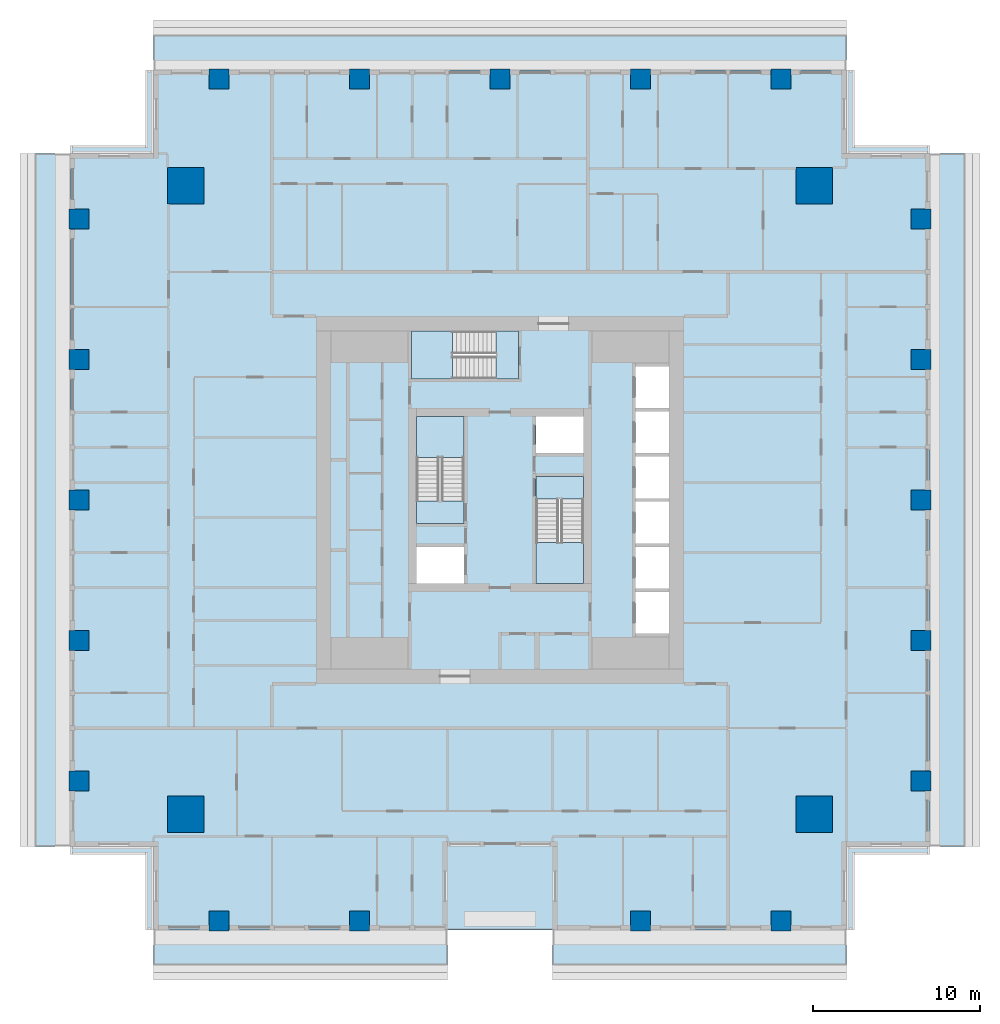
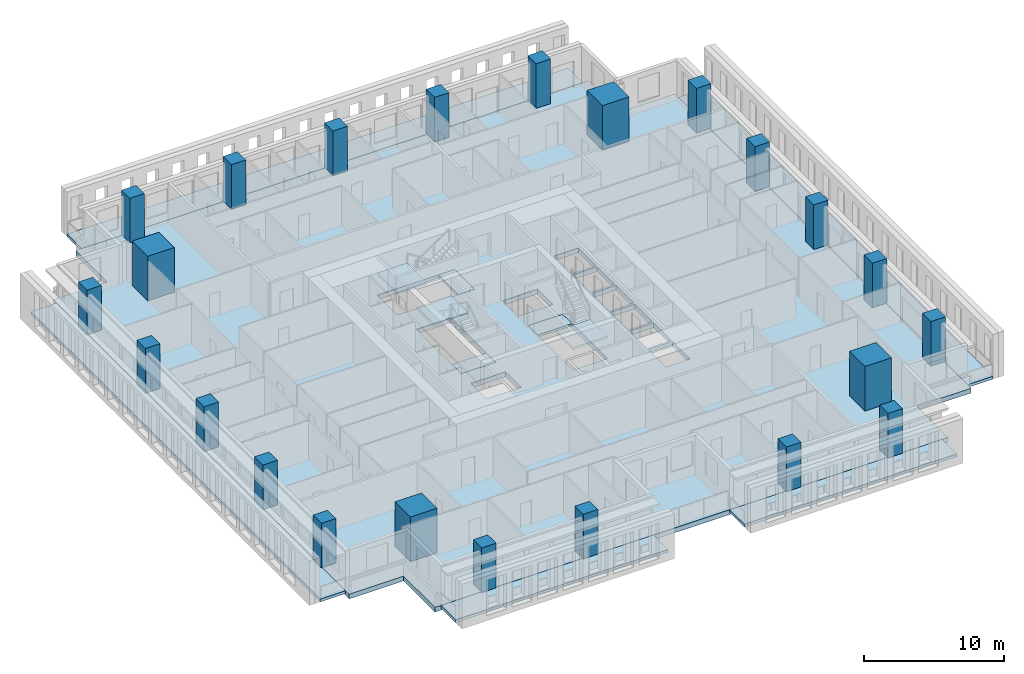
# One storey, part 1 of 16: 23 columns, 12 slabs, 3 elements without a shape of their own.
"""IFC4 building model written with IfcOpenShell, lengths in metres."""

from ifc_helpers import new_model, si_unit, direction, frame, origin, origin_2d, place, context, subcontext, project, spatial, polyline, rectangle, outline, extrude, material, layer, layer_set, material_profile, profile_set, type_object, element, aggregate, save


model = new_model("IFC4")

# Units and contexts
model_context = context("Model", 3, precision=1e-05, world=origin(), true_north=direction((0.0, 1.0)))
body_context = subcontext(model_context, "Body", "Model", "MODEL_VIEW")
ifc_project = project(units=[si_unit("LENGTHUNIT", "METRE"), si_unit("AREAUNIT", "SQUARE_METRE"), si_unit("VOLUMEUNIT", "CUBIC_METRE"), si_unit("PLANEANGLEUNIT", "RADIAN"), si_unit("MASSUNIT", "GRAM", prefix="KILO")], contexts=[model_context])

# Site, building, storey
site_placement = place(None, origin())
site = spatial("IfcSite", under=ifc_project, at=site_placement, CompositionType="ELEMENT")
building_placement = place(site_placement, origin())
building = spatial("IfcBuilding", under=site, at=building_placement, Name="Khepri Terraces", CompositionType="ELEMENT")
storey_placement = place(building_placement, frame((0.0, 0.0, 240.60009765625)))
storey = spatial("IfcBuildingStorey", under=building, at=storey_placement, Name="L57", CompositionType="ELEMENT", Elevation=240.60009765625)

# Columns
ifc_material_1 = material(Name="Concrete C40/50", Category="concrete")
ifc_material_profile_1 = material_profile(ifc_material_1, rectangle(XDim=2.199951171875, YDim=2.199951171875, at=origin_2d()), Name="Concrete C40/50", Category="concrete")
ifc_profile_set_1 = profile_set([ifc_material_profile_1], Name="Concrete C40/50")
column_type_1 = type_object("IfcColumnType", Name="Mega column RC 2200x2200 C40/50", PredefinedType="COLUMN", material=ifc_profile_set_1)
for number, where, z_axis, x_axis, name in (
    (1, (18.800048828125, 18.800048828125, 0.0), (0.0, 0.0, 1.0), (1.0, 0.0, 0.0), "Mega column MEN L57"),
    (2, (18.800048828125, -18.800048828125, 0.0), (0.0, 0.0, 1.0), (1.0, 0.0, 0.0), "Mega column MES L57"),
    (3, (-18.800048828125, 18.800048828125, 0.0), (0.0, 0.0, 1.0), (1.0, 0.0, 0.0), "Mega column MWN L57"),
    (4, (-18.800048828125, -18.800048828125, 0.0), (0.0, 0.0, 1.0), (1.0, 0.0, 0.0), "Mega column MWS L57"),
):
    element("IfcColumn", number, at=place(storey_placement, frame(where, z_axis=z_axis, x_axis=x_axis)), inside=storey, type_object=column_type_1, Name=name, PredefinedType="COLUMN", context=body_context, shape_type="SweptSolid", body=[
        extrude(rectangle(XDim=2.199951171875, YDim=2.199951171875, at=origin_2d()), origin(), (0.0, 0.0, 1.0), 3.89990234375),
    ])
ifc_material_profile_2 = material_profile(ifc_material_1, rectangle(XDim=1.199951171875, YDim=1.199951171875, at=origin_2d()), Name="Concrete C40/50", Category="concrete")
ifc_profile_set_2 = profile_set([ifc_material_profile_2], Name="Concrete C40/50")
column_type_2 = type_object("IfcColumnType", Name="Tower column RC 1200x1200 C40/50", PredefinedType="COLUMN", material=ifc_profile_set_2)
for number, where, z_axis, x_axis, name in (
    (5, (25.199951171875, 0.0, -0.420166015625), (0.0, 0.0, 1.0), (1.0, 0.0, 0.0), "Perimeter column PE+000b L57"),
    (6, (25.199951171875, 8.39990234375, -0.420166015625), (0.0, 0.0, 1.0), (1.0, 0.0, 0.0), "Perimeter column PE+084b L57"),
):
    element("IfcColumn", number, at=place(storey_placement, frame(where, z_axis=z_axis, x_axis=x_axis)), inside=storey, type_object=column_type_2, Name=name, PredefinedType="COLUMN", context=body_context, shape_type="SweptSolid", body=[
        extrude(rectangle(XDim=1.199951171875, YDim=1.199951171875, at=origin_2d()), origin(), (0.0, 0.0, 1.0), 4.320068359375),
    ])
column_1_placement = place(storey_placement, frame((25.199951171875, 16.800048828125, 0.0), z_axis=(0.0, 0.0, 1.0), x_axis=(1.0, 0.0, 0.0)))
element("IfcColumn", 7, at=column_1_placement, inside=storey, type_object=column_type_2, Name="Perimeter column PE+168a L57", PredefinedType="COLUMN", context=body_context, shape_type="SweptSolid", body=[
    extrude(rectangle(XDim=1.199951171875, YDim=1.199951171875, at=origin_2d()), origin(), (0.0, 0.0, 1.0), 3.89990234375),
])
column_2_placement = place(storey_placement, frame((25.199951171875, -8.39990234375, -0.420166015625), z_axis=(0.0, 0.0, 1.0), x_axis=(1.0, 0.0, 0.0)))
element("IfcColumn", 8, at=column_2_placement, inside=storey, type_object=column_type_2, Name="Perimeter column PE-084b L57", PredefinedType="COLUMN", context=body_context, shape_type="SweptSolid", body=[
    extrude(rectangle(XDim=1.199951171875, YDim=1.199951171875, at=origin_2d()), origin(), (0.0, 0.0, 1.0), 4.320068359375),
])
for number, where, z_axis, x_axis, name in (
    (9, (25.199951171875, -16.800048828125, 0.0), (0.0, 0.0, 1.0), (1.0, 0.0, 0.0), "Perimeter column PE-168a L57"),
    (10, (0.0, 25.199951171875, 0.0), (0.0, 0.0, 1.0), (1.0, 0.0, 0.0), "Perimeter column PN+000b L57"),
    (11, (-8.39990234375, 25.199951171875, 0.0), (0.0, 0.0, 1.0), (1.0, 0.0, 0.0), "Perimeter column PN+084b L57"),
    (12, (-16.800048828125, 25.199951171875, 0.0), (0.0, 0.0, 1.0), (1.0, 0.0, 0.0), "Perimeter column PN+168a L57"),
    (13, (8.39990234375, 25.199951171875, 0.0), (0.0, 0.0, 1.0), (1.0, 0.0, 0.0), "Perimeter column PN-084b L57"),
    (14, (16.800048828125, 25.199951171875, 0.0), (0.0, 0.0, 1.0), (1.0, 0.0, 0.0), "Perimeter column PN-168a L57"),
    (15, (8.39990234375, -25.199951171875, 0.0), (0.0, 0.0, 1.0), (1.0, 0.0, 0.0), "Perimeter column PS+084b L57"),
    (16, (16.800048828125, -25.199951171875, 0.0), (0.0, 0.0, 1.0), (1.0, 0.0, 0.0), "Perimeter column PS+168a L57"),
    (17, (-8.39990234375, -25.199951171875, 0.0), (0.0, 0.0, 1.0), (1.0, 0.0, 0.0), "Perimeter column PS-084b L57"),
    (18, (-16.800048828125, -25.199951171875, 0.0), (0.0, 0.0, 1.0), (1.0, 0.0, 0.0), "Perimeter column PS-168a L57"),
    (19, (-25.199951171875, 0.0, 0.0), (0.0, 0.0, 1.0), (1.0, 0.0, 0.0), "Perimeter column PW+000b L57"),
    (20, (-25.199951171875, -8.39990234375, 0.0), (0.0, 0.0, 1.0), (1.0, 0.0, 0.0), "Perimeter column PW+084b L57"),
    (21, (-25.199951171875, -16.800048828125, 0.0), (0.0, 0.0, 1.0), (1.0, 0.0, 0.0), "Perimeter column PW+168a L57"),
    (22, (-25.199951171875, 8.39990234375, 0.0), (0.0, 0.0, 1.0), (1.0, 0.0, 0.0), "Perimeter column PW-084b L57"),
    (23, (-25.199951171875, 16.800048828125, 0.0), (0.0, 0.0, 1.0), (1.0, 0.0, 0.0), "Perimeter column PW-168a L57"),
):
    element("IfcColumn", number, at=place(storey_placement, frame(where, z_axis=z_axis, x_axis=x_axis)), inside=storey, type_object=column_type_2, Name=name, PredefinedType="COLUMN", context=body_context, shape_type="SweptSolid", body=[
        extrude(rectangle(XDim=1.199951171875, YDim=1.199951171875, at=origin_2d()), origin(), (0.0, 0.0, 1.0), 3.89990234375),
    ])

# Slabs
ifc_layer_1 = layer(ifc_material_1, 0.419921875, Name="Concrete C40/50", Category="concrete")
ifc_layer_set_1 = layer_set([ifc_layer_1], Name="Concrete C40/50")
slab_type_1 = type_object("IfcSlabType", Name="Flat plate 420", PredefinedType="FLOOR", material=ifc_layer_set_1)
slab_1_placement = place(storey_placement, frame((0.0, 0.0, -0.420166015625)))
element("IfcSlab", 24, at=slab_1_placement, inside=storey, type_object=slab_type_1, Name="Floor slab F01 L57", PredefinedType="FLOOR", context=body_context, shape_type="SweptSolid", body=[
    extrude(outline(polyline([(25.719970703125, -20.719970703125), (25.719970703125, -21.219970703125), (21.219970703125, -21.219970703125), (21.219970703125, -25.719970703125), (20.719970703125, -25.719970703125), (3.14990234375, -25.719970703125), (-3.14990234375, -25.719970703125), (-20.719970703125, -25.719970703125), (-21.219970703125, -25.719970703125), (-21.219970703125, -21.219970703125), (-25.719970703125, -21.219970703125), (-25.719970703125, -20.719970703125), (-25.719970703125, 20.719970703125), (-25.719970703125, 21.219970703125), (-21.219970703125, 21.219970703125), (-21.219970703125, 25.719970703125), (-20.719970703125, 25.719970703125), (20.719970703125, 25.719970703125), (21.219970703125, 25.719970703125), (21.219970703125, 21.219970703125), (25.719970703125, 21.219970703125), (25.719970703125, 20.719970703125), (25.719970703125, -20.719970703125)]), holes=[polyline([(2.14990234375, 2.800048828125), (5.0, 2.800048828125), (5.0, 5.0), (2.14990234375, 5.0), (2.14990234375, 2.800048828125)]), polyline([(-5.0, -2.800048828125), (-5.0, -5.0), (-2.14990234375, -5.0), (-2.14990234375, -2.800048828125), (-5.0, -2.800048828125)]), polyline([(10.10009765625, -5.5), (8.10009765625, -5.5), (8.10009765625, -8.0), (10.10009765625, -8.0), (10.10009765625, -5.5)]), polyline([(10.10009765625, -5.300048828125), (10.10009765625, -2.800048828125), (8.10009765625, -2.800048828125), (8.10009765625, -5.300048828125), (10.10009765625, -5.300048828125)]), polyline([(8.10009765625, -2.60009765625), (10.10009765625, -2.60009765625), (10.10009765625, -0.10009765625), (8.10009765625, -0.10009765625), (8.10009765625, -2.60009765625)]), polyline([(8.10009765625, 2.60009765625), (8.10009765625, 0.10009765625), (10.10009765625, 0.10009765625), (10.10009765625, 2.60009765625), (8.10009765625, 2.60009765625)]), polyline([(10.10009765625, 5.300048828125), (8.10009765625, 5.300048828125), (8.10009765625, 2.800048828125), (10.10009765625, 2.800048828125), (10.10009765625, 5.300048828125)]), polyline([(10.10009765625, 5.5), (10.10009765625, 8.0), (8.10009765625, 8.0), (8.10009765625, 5.5), (10.10009765625, 5.5)]), polyline([(-5.0, -1.39990234375), (-2.14990234375, -1.39990234375), (-2.14990234375, 5.0), (-5.0, 5.0), (-5.0, -1.39990234375)]), polyline([(5.0, -5.0), (5.0, 1.39990234375), (2.14990234375, 1.39990234375), (2.14990234375, -5.0), (5.0, -5.0)]), polyline([(-5.300048828125, 10.10009765625), (-5.300048828125, 7.25), (1.10009765625, 7.25), (1.10009765625, 10.10009765625), (-5.300048828125, 10.10009765625)])]), origin(), (0.0, 0.0, 1.0), 0.420166015625),
])
ifc_material_2 = material(Name="Precast concrete C50/60 warm stone", Category="masonry")
ifc_layer_2 = layer(ifc_material_2, 0.25, Name="Precast concrete C50/60 warm stone", Category="masonry")
ifc_layer_set_2 = layer_set([ifc_layer_2], Name="Precast concrete C50/60 warm stone")
slab_type_2 = type_object("IfcSlabType", Name="SLB-BALCONY-250", PredefinedType="FLOOR", material=ifc_layer_set_2)
slab_2_placement = place(storey_placement, frame((0.0, 0.0, -0.25)))
element("IfcSlab", 25, at=slab_2_placement, inside=storey, type_object=slab_type_2, Name="Balcony slab L57 S", PredefinedType="FLOOR", context=body_context, shape_type="SweptSolid", body=[
    extrude(outline(polyline([(-17.39990234375, -25.719970703125), (-20.719970703125, -25.719970703125), (-20.719970703125, -27.820068359375), (-3.14990234375, -27.820068359375), (-3.14990234375, -25.719970703125), (-7.800048828125, -25.719970703125), (-7.800048828125, -25.800048828125), (-9.0, -25.800048828125), (-9.0, -25.719970703125), (-16.199951171875, -25.719970703125), (-16.199951171875, -25.800048828125), (-17.39990234375, -25.800048828125), (-17.39990234375, -25.719970703125)])), origin(), (0.0, 0.0, 1.0), 0.25),
])
slab_3_placement = place(storey_placement, frame((0.0, 0.0, -0.25)))
element("IfcSlab", 26, at=slab_3_placement, inside=storey, type_object=slab_type_2, Name="Balcony slab L57 S", PredefinedType="FLOOR", context=body_context, shape_type="SweptSolid", body=[
    extrude(outline(polyline([(7.800048828125, -25.719970703125), (3.14990234375, -25.719970703125), (3.14990234375, -27.820068359375), (20.719970703125, -27.820068359375), (20.719970703125, -25.719970703125), (17.39990234375, -25.719970703125), (17.39990234375, -25.800048828125), (16.199951171875, -25.800048828125), (16.199951171875, -25.719970703125), (9.0, -25.719970703125), (9.0, -25.800048828125), (7.800048828125, -25.800048828125), (7.800048828125, -25.719970703125)])), origin(), (0.0, 0.0, 1.0), 0.25),
])
slab_4_placement = place(storey_placement, frame((0.0, 0.0, -0.25)))
element("IfcSlab", 27, at=slab_4_placement, inside=storey, type_object=slab_type_2, Name="Balcony slab L57 E", PredefinedType="FLOOR", context=body_context, shape_type="SweptSolid", body=[
    extrude(outline(polyline([(25.719970703125, -17.39990234375), (25.719970703125, -20.719970703125), (27.820068359375, -20.719970703125), (27.820068359375, 20.719970703125), (25.719970703125, 20.719970703125), (25.719970703125, 17.39990234375), (25.800048828125, 17.39990234375), (25.800048828125, 16.199951171875), (25.719970703125, 16.199951171875), (25.719970703125, 9.0), (25.800048828125, 9.0), (25.800048828125, 7.800048828125), (25.719970703125, 7.800048828125), (25.719970703125, 0.60009765625), (25.800048828125, 0.60009765625), (25.800048828125, -0.60009765625), (25.719970703125, -0.60009765625), (25.719970703125, -7.800048828125), (25.800048828125, -7.800048828125), (25.800048828125, -9.0), (25.719970703125, -9.0), (25.719970703125, -16.199951171875), (25.800048828125, -16.199951171875), (25.800048828125, -17.39990234375), (25.719970703125, -17.39990234375)])), origin(), (0.0, 0.0, 1.0), 0.25),
])
slab_5_placement = place(storey_placement, frame((0.0, 0.0, -0.25)))
element("IfcSlab", 28, at=slab_5_placement, inside=storey, type_object=slab_type_2, Name="Balcony slab L57 N", PredefinedType="FLOOR", context=body_context, shape_type="SweptSolid", body=[
    extrude(outline(polyline([(17.39990234375, 25.719970703125), (20.719970703125, 25.719970703125), (20.719970703125, 27.820068359375), (-20.719970703125, 27.820068359375), (-20.719970703125, 25.719970703125), (-17.39990234375, 25.719970703125), (-17.39990234375, 25.800048828125), (-16.199951171875, 25.800048828125), (-16.199951171875, 25.719970703125), (-9.0, 25.719970703125), (-9.0, 25.800048828125), (-7.800048828125, 25.800048828125), (-7.800048828125, 25.719970703125), (-0.60009765625, 25.719970703125), (-0.60009765625, 25.800048828125), (0.60009765625, 25.800048828125), (0.60009765625, 25.719970703125), (7.800048828125, 25.719970703125), (7.800048828125, 25.800048828125), (9.0, 25.800048828125), (9.0, 25.719970703125), (16.199951171875, 25.719970703125), (16.199951171875, 25.800048828125), (17.39990234375, 25.800048828125), (17.39990234375, 25.719970703125)])), origin(), (0.0, 0.0, 1.0), 0.25),
])
slab_6_placement = place(storey_placement, frame((0.0, 0.0, -0.25)))
element("IfcSlab", 29, at=slab_6_placement, inside=storey, type_object=slab_type_2, Name="Balcony slab L57 W", PredefinedType="FLOOR", context=body_context, shape_type="SweptSolid", body=[
    extrude(outline(polyline([(-25.719970703125, 17.39990234375), (-25.719970703125, 20.719970703125), (-27.820068359375, 20.719970703125), (-27.820068359375, -20.719970703125), (-25.719970703125, -20.719970703125), (-25.719970703125, -17.39990234375), (-25.800048828125, -17.39990234375), (-25.800048828125, -16.199951171875), (-25.719970703125, -16.199951171875), (-25.719970703125, -9.0), (-25.800048828125, -9.0), (-25.800048828125, -7.800048828125), (-25.719970703125, -7.800048828125), (-25.719970703125, -0.60009765625), (-25.800048828125, -0.60009765625), (-25.800048828125, 0.60009765625), (-25.719970703125, 0.60009765625), (-25.719970703125, 7.800048828125), (-25.800048828125, 7.800048828125), (-25.800048828125, 9.0), (-25.719970703125, 9.0), (-25.719970703125, 16.199951171875), (-25.800048828125, 16.199951171875), (-25.800048828125, 17.39990234375), (-25.719970703125, 17.39990234375)])), origin(), (0.0, 0.0, 1.0), 0.25),
])

# Stair, slabs
stair_type = type_object("IfcStairType", Name="STAIR-RC-22R", PredefinedType="HALF_TURN_STAIR", material=ifc_material_1)
stair_1_placement = place(storey_placement, origin())
stair_1 = element("IfcStair", 30, at=stair_1_placement, inside=storey, type_object=stair_type, Name="L57 Exit Stair ST-1", PredefinedType="HALF_TURN_STAIR")
ifc_layer_3 = layer(ifc_material_1, 0.199951171875, Name="Concrete C40/50", Category="concrete")
ifc_layer_set_3 = layer_set([ifc_layer_3], Name="Concrete C40/50")
slab_type_3 = type_object("IfcSlabType", Name="SLB-CORE-LANDING", PredefinedType="LANDING", material=ifc_layer_set_3)
slab_7_placement = place(storey_placement, frame((0.0, 0.0, -0.2001953125)))
slab_7 = element("IfcSlab", 31, at=slab_7_placement, type_object=slab_type_3, Name="ST-1 landing 1", PredefinedType="LANDING", context=body_context, shape_type="SweptSolid", body=[
    extrude(outline(polyline([(-2.14990234375, -1.39990234375), (-2.14990234375, -0.050048828125), (-5.0, -0.050048828125), (-5.0, -1.39990234375), (-2.14990234375, -1.39990234375)])), origin(), (0.0, 0.0, 1.0), 0.2001953125),
])
slab_8_placement = place(storey_placement, frame((0.0, 0.0, 1.75)))
slab_8 = element("IfcSlab", 32, at=slab_8_placement, type_object=slab_type_3, Name="ST-1 landing 2", PredefinedType="LANDING", context=body_context, shape_type="SweptSolid", body=[
    extrude(outline(polyline([(-2.14990234375, 2.550048828125), (-2.14990234375, 5.0), (-5.0, 5.0), (-5.0, 2.550048828125), (-2.14990234375, 2.550048828125)])), origin(), (0.0, 0.0, 1.0), 0.199951171875),
])
aggregate(stair_1, [slab_7, slab_8])

stair_2_placement = place(storey_placement, origin())
stair_2 = element("IfcStair", 33, at=stair_2_placement, inside=storey, type_object=stair_type, Name="L57 Exit Stair ST-2", PredefinedType="HALF_TURN_STAIR")
slab_9_placement = place(storey_placement, frame((0.0, 0.0, -0.2001953125)))
slab_9 = element("IfcSlab", 34, at=slab_9_placement, type_object=slab_type_3, Name="ST-2 landing 1", PredefinedType="LANDING", context=body_context, shape_type="SweptSolid", body=[
    extrude(outline(polyline([(2.14990234375, 1.39990234375), (2.14990234375, 0.050048828125), (5.0, 0.050048828125), (5.0, 1.39990234375), (2.14990234375, 1.39990234375)])), origin(), (0.0, 0.0, 1.0), 0.2001953125),
])
slab_10_placement = place(storey_placement, frame((0.0, 0.0, 1.75)))
slab_10 = element("IfcSlab", 35, at=slab_10_placement, type_object=slab_type_3, Name="ST-2 landing 2", PredefinedType="LANDING", context=body_context, shape_type="SweptSolid", body=[
    extrude(outline(polyline([(2.14990234375, -2.550048828125), (2.14990234375, -5.0), (5.0, -5.0), (5.0, -2.550048828125), (2.14990234375, -2.550048828125)])), origin(), (0.0, 0.0, 1.0), 0.199951171875),
])
aggregate(stair_2, [slab_9, slab_10])

stair_3_placement = place(storey_placement, origin())
stair_3 = element("IfcStair", 36, at=stair_3_placement, inside=storey, type_object=stair_type, Name="L57 Exit Stair ST-3", PredefinedType="HALF_TURN_STAIR")
slab_11_placement = place(storey_placement, frame((0.0, 0.0, -0.2001953125)))
slab_11 = element("IfcSlab", 37, at=slab_11_placement, type_object=slab_type_3, Name="ST-3 landing 1", PredefinedType="LANDING", context=body_context, shape_type="SweptSolid", body=[
    extrude(outline(polyline([(1.10009765625, 10.10009765625), (-0.25, 10.10009765625), (-0.25, 7.25), (1.10009765625, 7.25), (1.10009765625, 10.10009765625)])), origin(), (0.0, 0.0, 1.0), 0.2001953125),
])
slab_12_placement = place(storey_placement, frame((0.0, 0.0, 1.75)))
slab_12 = element("IfcSlab", 38, at=slab_12_placement, type_object=slab_type_3, Name="ST-3 landing 2", PredefinedType="LANDING", context=body_context, shape_type="SweptSolid", body=[
    extrude(outline(polyline([(-2.85009765625, 10.10009765625), (-5.300048828125, 10.10009765625), (-5.300048828125, 7.25), (-2.85009765625, 7.25), (-2.85009765625, 10.10009765625)])), origin(), (0.0, 0.0, 1.0), 0.199951171875),
])
aggregate(stair_3, [slab_11, slab_12])

save(model, "model.ifc")
